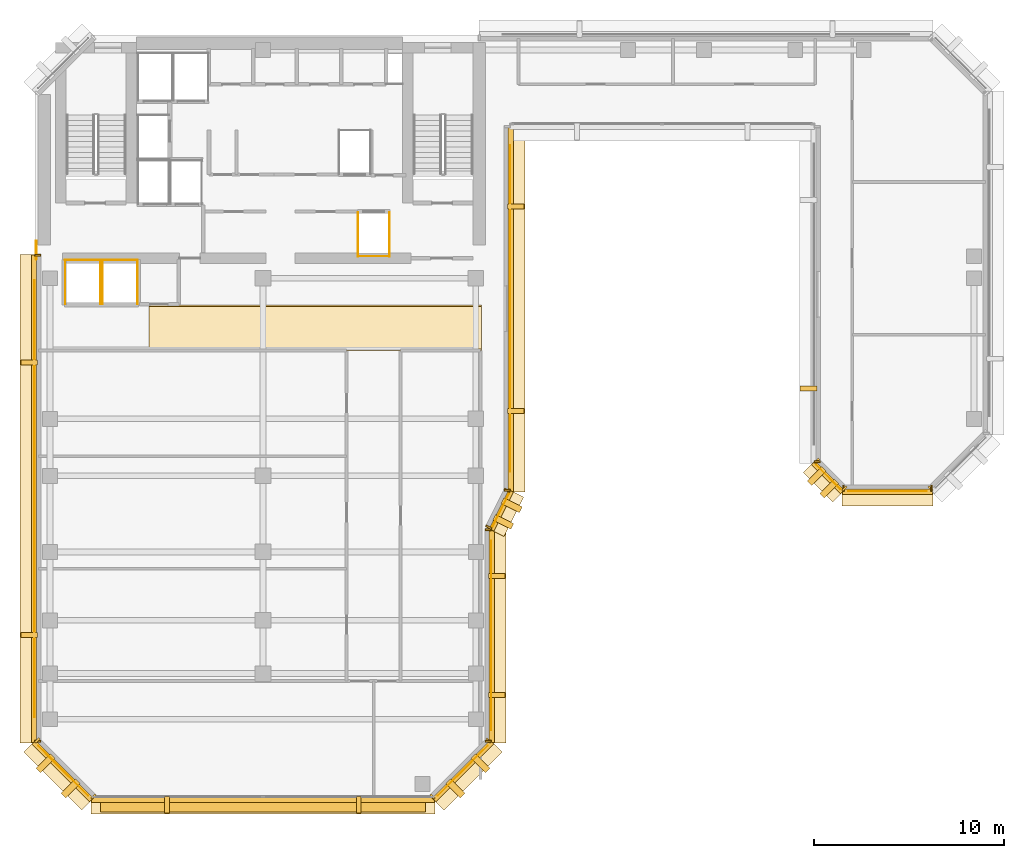
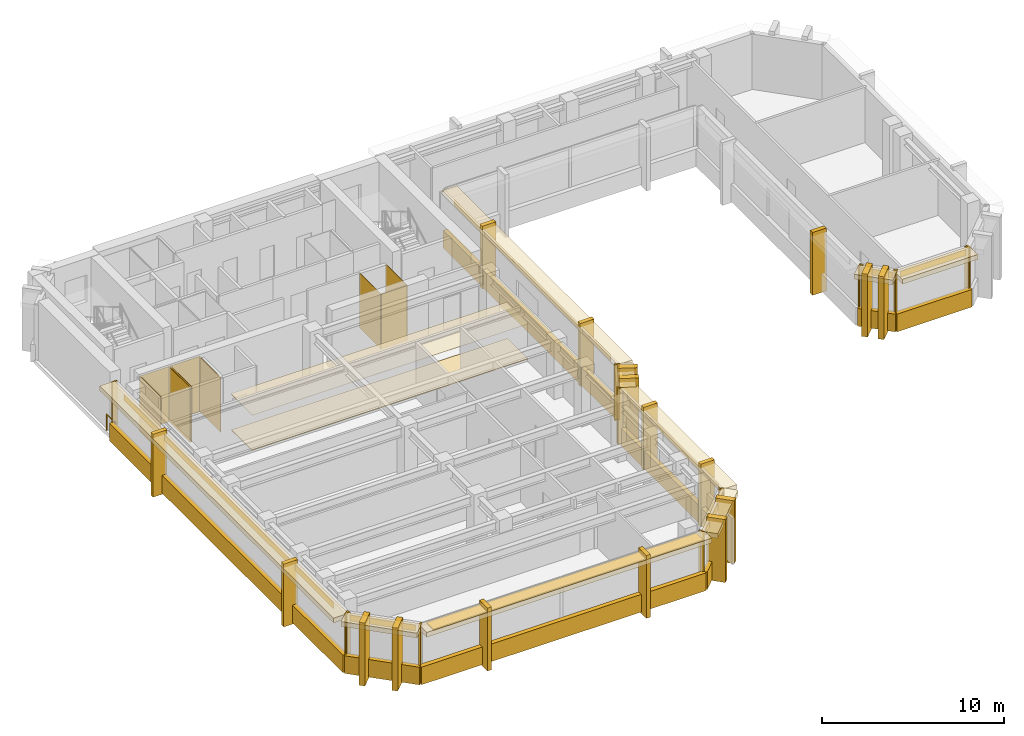
# One storey, part 8 of 11: 71 coverings, 1 railing, 1 shading device.
"""IFC4 building model written with IfcOpenShell, lengths in metres."""

import ifcopenshell
import ifcopenshell.guid

model = None  # the IFC model being written
_history = None  # IfcOwnerHistory: only IFC2X3 demands one
_inside = {}  # id of a spatial element -> (the spatial element, [elements in it])
_under = {}  # id of a project, library or spatial element -> (it, [spatial elements below it])
_declared = {}  # id of a project -> (the project, [libraries it declares])
_typed = {}  # id of a type object -> (the type object, [elements of that type])
_made_of = {}  # id of a material, layer set ... -> (it, [elements and type objects made of it])


def new_model(schema):
    """Start an empty IFC model of exactly this schema.

    Asked for "IFC4X3", IfcOpenShell would pick the latest addendum, in which some entities
    have other attributes; the version numbers below select the first issue.
    IFC2X3 requires an IfcOwnerHistory on every rooted entity: one is made here for all.
    """
    global model, _history
    if schema == "IFC4X3":
        model = ifcopenshell.file(schema_version=(4, 3, 0, 0))
    else:
        model = ifcopenshell.file(schema=schema)
    _inside.clear()
    _under.clear()
    _declared.clear()
    _typed.clear()
    _made_of.clear()
    _history = None
    if model.schema == "IFC2X3":
        org = make("IfcOrganization", Name="unknown")
        user = make(
            "IfcPersonAndOrganization",
            ThePerson=make("IfcPerson", FamilyName="unknown"),
            TheOrganization=org,
        )
        app = make(
            "IfcApplication",
            ApplicationDeveloper=org,
            Version="unknown",
            ApplicationFullName="unknown",
            ApplicationIdentifier="unknown",
        )
        _history = make(
            "IfcOwnerHistory",
            OwningUser=user,
            OwningApplication=app,
            ChangeAction="ADDED",
            CreationDate=0,
        )
    return model


def make(cls, **values):
    """One entity of the class cls with the attributes given. An attribute that is None is left unset."""
    return model.create_entity(
        cls, **{name: value for name, value in values.items() if value is not None}
    )


def rooted(cls, **values):
    """An entity with a GlobalId (a new one), such as an element, a storey or a relation."""
    return make(cls, GlobalId=ifcopenshell.guid.new(), OwnerHistory=_history, **values)


def si_unit(unit_type, name, prefix=None):
    """IfcSIUnit, for example si_unit("LENGTHUNIT", "METRE", prefix="MILLI")."""
    return make("IfcSIUnit", UnitType=unit_type, Prefix=prefix, Name=name)


def assignment(units):
    """IfcUnitAssignment: the units of a project."""
    return None if units is None else make("IfcUnitAssignment", Units=units)


def point(xyz):
    """IfcCartesianPoint."""
    return None if xyz is None else make("IfcCartesianPoint", Coordinates=xyz)


def direction(xyz):
    """IfcDirection."""
    return None if xyz is None else make("IfcDirection", DirectionRatios=xyz)


def frame(location, z_axis=None, x_axis=None):
    """IfcAxis2Placement3D, a coordinate frame: its origin and axes. An axis left out is left unset."""
    return make(
        "IfcAxis2Placement3D",
        Location=point(location),
        Axis=direction(z_axis),
        RefDirection=direction(x_axis),
    )


def frame_2d(location, x_axis=None):
    """IfcAxis2Placement2D, a coordinate frame in the plane: its origin and x axis."""
    return make(
        "IfcAxis2Placement2D", Location=point(location), RefDirection=direction(x_axis)
    )


def origin():
    """The frame at (0, 0, 0) with its axes left unset."""
    return frame((0.0, 0.0, 0.0))


def origin_2d():
    """The frame at (0, 0) in the plane with its x axis left unset."""
    return frame_2d((0.0, 0.0))


def place(relative_to, where):
    """IfcLocalPlacement: puts the frame where relative to a parent placement (None: the world)."""
    return make(
        "IfcLocalPlacement", PlacementRelTo=relative_to, RelativePlacement=where
    )


def context(
    kind, dimensions, precision=None, world=None, true_north=None, identifier=None
):
    """IfcGeometricRepresentationContext, for example the 3D "Model" context."""
    return make(
        "IfcGeometricRepresentationContext",
        ContextIdentifier=identifier,
        ContextType=kind,
        CoordinateSpaceDimension=dimensions,
        Precision=precision,
        WorldCoordinateSystem=world,
        TrueNorth=true_north,
    )


def subcontext(parent, identifier, kind, view, scale=None):
    """IfcGeometricRepresentationSubContext, for example "Body" below "Model"."""
    return make(
        "IfcGeometricRepresentationSubContext",
        ContextIdentifier=identifier,
        ContextType=kind,
        ParentContext=parent,
        TargetScale=scale,
        TargetView=view,
    )


def project(units=None, contexts=None):
    """IfcProject with its units and contexts."""
    return rooted(
        "IfcProject",
        Name="project",
        RepresentationContexts=contexts,
        UnitsInContext=assignment(units),
    )


def spatial(cls, under=None, at=None, **own):
    """A site, building, storey or space (cls), placed at a placement, below another one or the project."""
    s = rooted(cls, ObjectPlacement=at, **own)
    if under is not None:
        _under.setdefault(under.id(), (under, []))[1].append(s)
    return s


def polyline(points):
    """IfcPolyline through the points."""
    return make("IfcPolyline", Points=[point(p) for p in points])


def profile(cls, at=None, kind="AREA", **sizes):
    """A parametric profile (cls). Its sizes go by their IFC names, for example OverallWidth=200.0."""
    return make(cls, ProfileType=kind, Position=at, **sizes)


def rectangle(**sizes):
    """IfcRectangleProfileDef."""
    return profile("IfcRectangleProfileDef", **sizes)


def circle(**sizes):
    """IfcCircleProfileDef."""
    return profile("IfcCircleProfileDef", **sizes)


def outline(outer, holes=None, kind="AREA"):
    """IfcArbitraryClosedProfileDef: a profile drawn as a closed curve; with holes, ...WithVoids."""
    if holes is None:
        return make("IfcArbitraryClosedProfileDef", ProfileType=kind, OuterCurve=outer)
    return make(
        "IfcArbitraryProfileDefWithVoids",
        ProfileType=kind,
        OuterCurve=outer,
        InnerCurves=holes,
    )


def extrude(swept, where, along, depth):
    """IfcExtrudedAreaSolid: the profile swept, set in the frame where, extruded along a direction by depth."""
    return make(
        "IfcExtrudedAreaSolid",
        SweptArea=swept,
        Position=where,
        ExtrudedDirection=direction(along),
        Depth=depth,
    )


def shape(context_of_items, identifier, shape_type, items):
    """IfcShapeRepresentation: the items that make up one representation, for example the "Body"."""
    return make(
        "IfcShapeRepresentation",
        ContextOfItems=context_of_items,
        RepresentationIdentifier=identifier,
        RepresentationType=shape_type,
        Items=items,
    )


def material(Name=None, Category=None):
    """IfcMaterial."""
    return make("IfcMaterial", Name=Name, Category=Category)


def layer(
    of_material, thickness, ventilated=None, Name=None, Category=None, Priority=None
):
    """IfcMaterialLayer: one layer of a wall or slab, of a material (None: an air gap)."""
    return make(
        "IfcMaterialLayer",
        Material=of_material,
        LayerThickness=thickness,
        IsVentilated=ventilated,
        Name=Name,
        Category=Category,
        Priority=Priority,
    )


def layer_set(layers, Name=None):
    """IfcMaterialLayerSet."""
    return make("IfcMaterialLayerSet", MaterialLayers=layers, LayerSetName=Name)


def made_of(thing, what):
    """Note that an element or type object is made of a material, layer set ...; save() writes the relation."""
    if what is not None:
        _made_of.setdefault(what.id(), (what, []))[1].append(thing)
    return thing


def type_object(cls, material=None, **own):
    """A type object (cls), such as IfcWallType, which elements share."""
    return made_of(rooted(cls, **own), material)


def element(
    cls,
    number,
    at=None,
    inside=None,
    cuts=None,
    type_object=None,
    material=None,
    context=None,
    identifier="Body",
    shape_type=None,
    held_by="IfcProductDefinitionShape",
    body=None,
    shapes=None,
    **own,
):
    """One element of the class cls, such as IfcWall. Its Tag is "e" and its number.

    at: its placement. inside: the storey or other place that contains it. cuts: it is an
    opening in that element (IfcRelVoidsElement). A single representation is given by context,
    identifier, shape_type and body (its items); several are given by shapes. held_by: the class
    of the entity that holds the representations. save() writes the other relations.
    """
    e = rooted(cls, Tag="e%d" % number, ObjectPlacement=at, **own)
    if body is not None:
        shapes = [shape(context, identifier, shape_type, body)]
    if shapes is not None:
        e.Representation = make(held_by, Representations=shapes)
    if inside is not None:
        _inside.setdefault(inside.id(), (inside, []))[1].append(e)
    if cuts is not None:
        rooted(
            "IfcRelVoidsElement", RelatingBuildingElement=cuts, RelatedOpeningElement=e
        )
    if type_object is not None:
        _typed.setdefault(type_object.id(), (type_object, []))[1].append(e)
    return made_of(e, material)


def aggregate(whole, parts):
    """IfcRelAggregates: a whole, such as a stair, and the parts it consists of."""
    return rooted("IfcRelAggregates", RelatingObject=whole, RelatedObjects=parts)


def save(model, path):
    """Write the relations noted so far, then the file.

    IfcRelAggregates (storeys below a building ...), IfcRelContainedInSpatialStructure (elements
    in a storey), IfcRelDefinesByType, IfcRelAssociatesMaterial and IfcRelDeclares: one each for
    every whole, place, type object, material and project.
    """
    for whole, parts in _under.values():
        aggregate(whole, parts)
    for where, things in _inside.values():
        rooted(
            "IfcRelContainedInSpatialStructure",
            RelatedElements=things,
            RelatingStructure=where,
        )
    for kind, things in _typed.values():
        rooted("IfcRelDefinesByType", RelatedObjects=things, RelatingType=kind)
    for what, things in _made_of.values():
        rooted("IfcRelAssociatesMaterial", RelatedObjects=things, RelatingMaterial=what)
    for by, libraries in _declared.values():
        rooted("IfcRelDeclares", RelatingContext=by, RelatedDefinitions=libraries)
    model.write(path)


model = new_model("IFC4")

# Units and contexts
model_context = context("Model", 3, precision=1e-05, world=origin(), true_north=direction((0.0, 1.0)))
body_context = subcontext(model_context, "Body", "Model", "MODEL_VIEW")
ifc_project = project(units=[si_unit("LENGTHUNIT", "METRE"), si_unit("AREAUNIT", "SQUARE_METRE"), si_unit("VOLUMEUNIT", "CUBIC_METRE"), si_unit("PLANEANGLEUNIT", "RADIAN"), si_unit("MASSUNIT", "GRAM", prefix="KILO")], contexts=[model_context])

# Site, building, storey
site_placement = place(None, origin())
site = spatial("IfcSite", under=ifc_project, at=site_placement, CompositionType="ELEMENT")
building_placement = place(site_placement, origin())
building = spatial("IfcBuilding", under=site, at=building_placement, Name="Kefirva Bronze Tower", CompositionType="ELEMENT")
storey_placement = place(building_placement, frame((0.0, 0.0, 227.699951171875)))
storey = spatial("IfcBuildingStorey", under=building, at=storey_placement, Name="L55", CompositionType="ELEMENT", Elevation=227.699951171875)

# Coverings
ifc_material_1 = material(Name="Acoustic mineral tile")
ifc_layer_1 = layer(ifc_material_1, 0.02490234375, Name="Acoustic mineral tile")
ifc_layer_set_1 = layer_set([ifc_layer_1], Name="Acoustic mineral tile")
covering_type_1 = type_object("IfcCoveringType", Name="Acoustic Mineral Suspended Ceiling 25mm", PredefinedType="CEILING", material=ifc_layer_set_1)
covering_1_placement = place(storey_placement, frame((0.0, 0.0, 2.400146484375)))
element("IfcCovering", 1, at=covering_1_placement, inside=storey, type_object=covering_type_1, Name="L55 Corridor Acoustic Ceiling", PredefinedType="CEILING", context=body_context, shape_type="SweptSolid", body=[
    extrude(outline(polyline([(6.0, 29.39990234375), (23.5, 29.39990234375), (23.5, 31.800048828125), (6.0, 31.800048828125), (6.0, 29.39990234375)])), origin(), (0.0, 0.0, 1.0), 0.02490234375),
])
ifc_material_2 = material(Name="Bronze anodised aluminium", Category="aluminium")
ifc_layer_2 = layer(ifc_material_2, 0.02001953125, Name="Bronze anodised aluminium")
ifc_layer_set_2 = layer_set([ifc_layer_2], Name="Bronze anodised aluminium")
covering_type_2 = type_object("IfcCoveringType", Name="Anodised Bronze Spandrel Cladding 20mm", PredefinedType="CLADDING", material=ifc_layer_set_2)
covering_2_placement = place(storey_placement, frame((12.0, 5.760009765625, -0.16015625), z_axis=(0.0, 0.0, 1.0), x_axis=(1.0, 0.0, 0.0)))
element("IfcCovering", 2, at=covering_2_placement, inside=storey, type_object=covering_type_2, Name="L55 Streamline Horizontal Spandrel Band 0", PredefinedType="CLADDING", context=body_context, shape_type="SweptSolid", body=[
    extrude(rectangle(XDim=18.0400390625, YDim=0.280029296875, at=origin_2d()), origin(), (0.0, 0.0, 1.0), 1.179931640625),
])
covering_3_placement = place(storey_placement, frame((22.507080078125, 7.29296875, 3.2900390625), z_axis=(0.0, 0.0, 1.0), x_axis=(0.707106781187, 0.707106781187, 0.0)))
element("IfcCovering", 3, at=covering_3_placement, inside=storey, type_object=covering_type_2, Name="L55 Bronze Spandrel Cladding 1", PredefinedType="CLADDING", context=body_context, shape_type="SweptSolid", body=[
    extrude(rectangle(XDim=3.719482421875, YDim=0.02001953125, at=origin_2d()), origin(), (0.0, 0.0, 1.0), 0.39990234375),
])
for number, where, z_axis, x_axis, name in (
    (4, (20.91162109375, 5.93798828125, 0.0), (0.0, 0.0, 1.0), (0.707106781187, 0.707106781187, 0.0), "L55 Facade Joint Closure Panel 1S"),
    (5, (23.862060546875, 8.88818359375, 0.0), (0.0, 0.0, 1.0), (0.707106781187, 0.707106781187, 0.0), "L55 Facade Joint Closure Panel 1E"),
):
    element("IfcCovering", number, at=place(storey_placement, frame(where, z_axis=z_axis, x_axis=x_axis)), inside=storey, type_object=covering_type_2, Name=name, PredefinedType="CLADDING", context=body_context, shape_type="SweptSolid", body=[
        extrude(rectangle(XDim=0.10009765625, YDim=0.320068359375, at=origin_2d()), origin(), (0.0, 0.0, 1.0), 3.7099609375),
    ])
covering_4_placement = place(storey_placement, frame((22.5283203125, 7.271728515625, -0.16015625), z_axis=(0.0, 0.0, 1.0), x_axis=(0.707106781187, 0.707106781187, 0.0)))
element("IfcCovering", 6, at=covering_4_placement, inside=storey, type_object=covering_type_2, Name="L55 Streamline Horizontal Spandrel Band 1", PredefinedType="CLADDING", context=body_context, shape_type="SweptSolid", body=[
    extrude(rectangle(XDim=4.28271484375, YDim=0.280029296875, at=origin_2d()), origin(), (0.0, 0.0, 1.0), 1.179931640625),
])
covering_5_placement = place(storey_placement, frame((24.010009765625, 14.39990234375, 3.2900390625), z_axis=(0.0, 0.0, 1.0), x_axis=(0.0, 1.0, 0.0)))
element("IfcCovering", 7, at=covering_5_placement, inside=storey, type_object=covering_type_2, Name="L55 Bronze Spandrel Cladding 2", PredefinedType="CLADDING", context=body_context, shape_type="SweptSolid", body=[
    extrude(rectangle(XDim=9.98095703125, YDim=0.02001953125, at=origin_2d()), origin(), (0.0, 0.0, 1.0), 0.39990234375),
])
for number, where, z_axis, x_axis, name in (
    (8, (23.840087890625, 8.8349609375, 0.0), (0.0, 0.0, 1.0), (0.0, 1.0, 0.0), "L55 Facade Joint Closure Panel 2S"),
    (9, (23.840087890625, 19.965087890625, 0.0), (0.0, 0.0, 1.0), (0.0, 1.0, 0.0), "L55 Facade Joint Closure Panel 2E"),
):
    element("IfcCovering", number, at=place(storey_placement, frame(where, z_axis=z_axis, x_axis=x_axis)), inside=storey, type_object=covering_type_2, Name=name, PredefinedType="CLADDING", context=body_context, shape_type="SweptSolid", body=[
        extrude(rectangle(XDim=0.10009765625, YDim=0.320068359375, at=origin_2d()), origin(), (0.0, 0.0, 1.0), 3.7099609375),
    ])
covering_6_placement = place(storey_placement, frame((24.0400390625, 14.39990234375, -0.16015625), z_axis=(0.0, 0.0, 1.0), x_axis=(0.0, 1.0, 0.0)))
element("IfcCovering", 10, at=covering_6_placement, inside=storey, type_object=covering_type_2, Name="L55 Streamline Horizontal Spandrel Band 2", PredefinedType="CLADDING", context=body_context, shape_type="SweptSolid", body=[
    extrude(rectangle(XDim=11.239990234375, YDim=0.280029296875, at=origin_2d()), origin(), (0.0, 0.0, 1.0), 1.179931640625),
])
covering_7_placement = place(storey_placement, frame((24.5087890625, 20.99560546875, 3.2900390625), z_axis=(0.0, 0.0, 1.0), x_axis=(0.44721435766, 0.89442680992, 0.0)))
element("IfcCovering", 11, at=covering_7_placement, inside=storey, type_object=covering_type_2, Name="L55 Bronze Spandrel Cladding 3", PredefinedType="CLADDING", context=body_context, shape_type="SweptSolid", body=[
    extrude(rectangle(XDim=1.91357421875, YDim=0.02001953125, at=origin_2d()), origin(), (0.0, 0.0, 1.0), 0.39990234375),
])
for number, where, z_axis, x_axis, name in (
    (12, (23.87255859375, 20.102783203125, 0.0), (0.0, 0.0, 1.0), (0.44721435766, 0.89442680992, 0.0), "L55 Facade Joint Closure Panel 3S"),
    (13, (24.84130859375, 22.040283203125, 0.0), (0.0, 0.0, 1.0), (0.44721435766, 0.89442680992, 0.0), "L55 Facade Joint Closure Panel 3E"),
):
    element("IfcCovering", number, at=place(storey_placement, frame(where, z_axis=z_axis, x_axis=x_axis)), inside=storey, type_object=covering_type_2, Name=name, PredefinedType="CLADDING", context=body_context, shape_type="SweptSolid", body=[
        extrude(rectangle(XDim=0.10009765625, YDim=0.320068359375, at=origin_2d()), origin(), (0.0, 0.0, 1.0), 3.7099609375),
    ])
covering_8_placement = place(storey_placement, frame((24.535888671875, 20.982177734375, -0.16015625), z_axis=(0.0, 0.0, 1.0), x_axis=(0.44721435766, 0.89442680992, 0.0)))
element("IfcCovering", 14, at=covering_8_placement, inside=storey, type_object=covering_type_2, Name="L55 Streamline Horizontal Spandrel Band 3", PredefinedType="CLADDING", context=body_context, shape_type="SweptSolid", body=[
    extrude(rectangle(XDim=2.276123046875, YDim=0.280029296875, at=origin_2d()), origin(), (0.0, 0.0, 1.0), 1.179931640625),
])
covering_9_placement = place(storey_placement, frame((25.010009765625, 31.60009765625, 3.2900390625), z_axis=(0.0, 0.0, 1.0), x_axis=(0.0, 1.0, 0.0)))
element("IfcCovering", 15, at=covering_9_placement, inside=storey, type_object=covering_type_2, Name="L55 Bronze Spandrel Cladding 4", PredefinedType="CLADDING", context=body_context, shape_type="SweptSolid", body=[
    extrude(rectangle(XDim=17.180908203125, YDim=0.02001953125, at=origin_2d()), origin(), (0.0, 0.0, 1.0), 0.39990234375),
])
covering_10_placement = place(storey_placement, frame((24.840087890625, 22.034912109375, 0.0), z_axis=(0.0, 0.0, 1.0), x_axis=(0.0, 1.0, 0.0)))
element("IfcCovering", 16, at=covering_10_placement, inside=storey, type_object=covering_type_2, Name="L55 Facade Joint Closure Panel 4S", PredefinedType="CLADDING", context=body_context, shape_type="SweptSolid", body=[
    extrude(rectangle(XDim=0.10009765625, YDim=0.320068359375, at=origin_2d()), origin(), (0.0, 0.0, 1.0), 3.7099609375),
])
covering_11_placement = place(storey_placement, frame((25.0400390625, 31.60009765625, -0.16015625), z_axis=(0.0, 0.0, 1.0), x_axis=(0.0, 1.0, 0.0)))
element("IfcCovering", 17, at=covering_11_placement, inside=storey, type_object=covering_type_2, Name="L55 Streamline Horizontal Spandrel Band 5", PredefinedType="CLADDING", context=body_context, shape_type="SweptSolid", body=[
    extrude(rectangle(XDim=19.239990234375, YDim=0.280029296875, at=origin_2d()), origin(), (0.0, 0.0, 1.0), 1.179931640625),
])
covering_12_placement = place(storey_placement, frame((41.159912109375, 23.534912109375, 0.0), z_axis=(0.0, 0.0, 1.0), x_axis=(0.0, -1.0, 0.0)))
element("IfcCovering", 18, at=covering_12_placement, inside=storey, type_object=covering_type_2, Name="L55 Facade Joint Closure Panel 5E", PredefinedType="CLADDING", context=body_context, shape_type="SweptSolid", body=[
    extrude(rectangle(XDim=0.10009765625, YDim=0.320068359375, at=origin_2d()), origin(), (0.0, 0.0, 1.0), 3.7099609375),
])
covering_13_placement = place(storey_placement, frame((41.742919921875, 22.742919921875, 3.2900390625), z_axis=(0.0, 0.0, 1.0), x_axis=(0.707106781187, -0.707106781187, 0.0)))
element("IfcCovering", 19, at=covering_13_placement, inside=storey, type_object=covering_type_2, Name="L55 Bronze Spandrel Cladding 6", PredefinedType="CLADDING", context=body_context, shape_type="SweptSolid", body=[
    extrude(rectangle(XDim=1.810302734375, YDim=0.02001953125, at=origin_2d()), origin(), (0.0, 0.0, 1.0), 0.39990234375),
])
for number, where, z_axis, x_axis, name in (
    (20, (41.137939453125, 23.58837890625, 0.0), (0.0, 0.0, 1.0), (0.707106781187, -0.707106781187, 0.0), "L55 Facade Joint Closure Panel 6S"),
    (21, (42.58837890625, 22.137939453125, 0.0), (0.0, 0.0, 1.0), (0.707106781187, -0.707106781187, 0.0), "L55 Facade Joint Closure Panel 6E"),
):
    element("IfcCovering", number, at=place(storey_placement, frame(where, z_axis=z_axis, x_axis=x_axis)), inside=storey, type_object=covering_type_2, Name=name, PredefinedType="CLADDING", context=body_context, shape_type="SweptSolid", body=[
        extrude(rectangle(XDim=0.10009765625, YDim=0.320068359375, at=origin_2d()), origin(), (0.0, 0.0, 1.0), 3.7099609375),
    ])
covering_14_placement = place(storey_placement, frame((41.7216796875, 22.7216796875, -0.16015625), z_axis=(0.0, 0.0, 1.0), x_axis=(0.707106781187, -0.707106781187, 0.0)))
element("IfcCovering", 22, at=covering_14_placement, inside=storey, type_object=covering_type_2, Name="L55 Streamline Horizontal Spandrel Band 8", PredefinedType="CLADDING", context=body_context, shape_type="SweptSolid", body=[
    extrude(rectangle(XDim=2.161376953125, YDim=0.280029296875, at=origin_2d()), origin(), (0.0, 0.0, 1.0), 1.179931640625),
])
covering_15_placement = place(storey_placement, frame((44.85009765625, 21.989990234375, 3.2900390625), z_axis=(0.0, 0.0, 1.0), x_axis=(1.0, 0.0, 0.0)))
element("IfcCovering", 23, at=covering_15_placement, inside=storey, type_object=covering_type_2, Name="L55 Bronze Spandrel Cladding 7", PredefinedType="CLADDING", context=body_context, shape_type="SweptSolid", body=[
    extrude(rectangle(XDim=4.131103515625, YDim=0.02001953125, at=origin_2d()), origin(), (0.0, 0.0, 1.0), 0.39990234375),
])
for number, where, z_axis, x_axis, name in (
    (24, (42.534912109375, 22.159912109375, 0.0), (0.0, 0.0, 1.0), (1.0, 0.0, 0.0), "L55 Facade Joint Closure Panel 7S"),
    (25, (47.1650390625, 22.159912109375, 0.0), (0.0, 0.0, 1.0), (1.0, 0.0, 0.0), "L55 Facade Joint Closure Panel 7E"),
):
    element("IfcCovering", number, at=place(storey_placement, frame(where, z_axis=z_axis, x_axis=x_axis)), inside=storey, type_object=covering_type_2, Name=name, PredefinedType="CLADDING", context=body_context, shape_type="SweptSolid", body=[
        extrude(rectangle(XDim=0.10009765625, YDim=0.320068359375, at=origin_2d()), origin(), (0.0, 0.0, 1.0), 3.7099609375),
    ])
covering_16_placement = place(storey_placement, frame((44.85009765625, 21.9599609375, -0.16015625), z_axis=(0.0, 0.0, 1.0), x_axis=(1.0, 0.0, 0.0)))
element("IfcCovering", 26, at=covering_16_placement, inside=storey, type_object=covering_type_2, Name="L55 Streamline Horizontal Spandrel Band 9", PredefinedType="CLADDING", context=body_context, shape_type="SweptSolid", body=[
    extrude(rectangle(XDim=4.739990234375, YDim=0.280029296875, at=origin_2d()), origin(), (0.0, 0.0, 1.0), 1.179931640625),
])
covering_17_placement = place(storey_placement, frame((47.11181640625, 22.137939453125, 0.0), z_axis=(0.0, 0.0, 1.0), x_axis=(0.707106781187, 0.707106781187, 0.0)))
element("IfcCovering", 27, at=covering_17_placement, inside=storey, type_object=covering_type_2, Name="L55 Facade Joint Closure Panel 8S", PredefinedType="CLADDING", context=body_context, shape_type="SweptSolid", body=[
    extrude(rectangle(XDim=0.10009765625, YDim=0.320068359375, at=origin_2d()), origin(), (0.0, 0.0, 1.0), 3.7099609375),
])
covering_18_placement = place(storey_placement, frame((-0.010009765625, 21.597412109375, 3.2900390625), z_axis=(0.0, 0.0, 1.0), x_axis=(0.0, -1.0, 0.0)))
element("IfcCovering", 28, at=covering_18_placement, inside=storey, type_object=covering_type_2, Name="L55 Bronze Spandrel Cladding 13", PredefinedType="CLADDING", context=body_context, shape_type="SweptSolid", body=[
    extrude(rectangle(XDim=22.986083984375, YDim=0.02001953125, at=origin_2d()), origin(), (0.0, 0.0, 1.0), 0.39990234375),
])
for number, where, z_axis, x_axis, name in (
    (29, (0.159912109375, 34.4150390625, 0.0), (0.0, 0.0, 1.0), (0.0, -1.0, 0.0), "L55 Facade Joint Closure Panel 13S"),
    (30, (0.159912109375, 8.8349609375, 0.0), (0.0, 0.0, 1.0), (0.0, -1.0, 0.0), "L55 Facade Joint Closure Panel 13E"),
):
    element("IfcCovering", number, at=place(storey_placement, frame(where, z_axis=z_axis, x_axis=x_axis)), inside=storey, type_object=covering_type_2, Name=name, PredefinedType="CLADDING", context=body_context, shape_type="SweptSolid", body=[
        extrude(rectangle(XDim=0.10009765625, YDim=0.320068359375, at=origin_2d()), origin(), (0.0, 0.0, 1.0), 3.7099609375),
    ])
covering_19_placement = place(storey_placement, frame((-0.0400390625, 21.597412109375, -0.16015625), z_axis=(0.0, 0.0, 1.0), x_axis=(0.0, -1.0, 0.0)))
element("IfcCovering", 31, at=covering_19_placement, inside=storey, type_object=covering_type_2, Name="L55 Streamline Horizontal Spandrel Band 15", PredefinedType="CLADDING", context=body_context, shape_type="SweptSolid", body=[
    extrude(rectangle(XDim=25.635009765625, YDim=0.280029296875, at=origin_2d()), origin(), (0.0, 0.0, 1.0), 1.179931640625),
])
covering_20_placement = place(storey_placement, frame((1.492919921875, 7.29296875, 3.2900390625), z_axis=(0.0, 0.0, 1.0), x_axis=(0.707106781187, -0.707106781187, 0.0)))
element("IfcCovering", 32, at=covering_20_placement, inside=storey, type_object=covering_type_2, Name="L55 Bronze Spandrel Cladding 14", PredefinedType="CLADDING", context=body_context, shape_type="SweptSolid", body=[
    extrude(rectangle(XDim=3.719482421875, YDim=0.02001953125, at=origin_2d()), origin(), (0.0, 0.0, 1.0), 0.39990234375),
])
for number, where, z_axis, x_axis, name in (
    (33, (0.137939453125, 8.88818359375, 0.0), (0.0, 0.0, 1.0), (0.707106781187, -0.707106781187, 0.0), "L55 Facade Joint Closure Panel 14S"),
    (34, (3.08837890625, 5.93798828125, 0.0), (0.0, 0.0, 1.0), (0.707106781187, -0.707106781187, 0.0), "L55 Facade Joint Closure Panel 14E"),
):
    element("IfcCovering", number, at=place(storey_placement, frame(where, z_axis=z_axis, x_axis=x_axis)), inside=storey, type_object=covering_type_2, Name=name, PredefinedType="CLADDING", context=body_context, shape_type="SweptSolid", body=[
        extrude(rectangle(XDim=0.10009765625, YDim=0.320068359375, at=origin_2d()), origin(), (0.0, 0.0, 1.0), 3.7099609375),
    ])
covering_21_placement = place(storey_placement, frame((1.4716796875, 7.271728515625, -0.16015625), z_axis=(0.0, 0.0, 1.0), x_axis=(0.707106781187, -0.707106781187, 0.0)))
element("IfcCovering", 35, at=covering_21_placement, inside=storey, type_object=covering_type_2, Name="L55 Streamline Horizontal Spandrel Band 16", PredefinedType="CLADDING", context=body_context, shape_type="SweptSolid", body=[
    extrude(rectangle(XDim=4.28271484375, YDim=0.280029296875, at=origin_2d()), origin(), (0.0, 0.0, 1.0), 1.179931640625),
])
covering_22_placement = place(storey_placement, origin())
element("IfcCovering", 36, at=covering_22_placement, inside=storey, type_object=covering_type_2, Name="L55 Lift OB1 Hoistway Liner N", PredefinedType="CLADDING", context=body_context, shape_type="SweptSolid", body=[
    extrude(outline(polyline([(1.580078125, 34.139892578125), (3.469970703125, 34.139892578125), (3.469970703125, 34.159912109375), (1.580078125, 34.159912109375), (1.580078125, 34.139892578125)])), origin(), (0.0, 0.0, 1.0), 3.7099609375),
])
covering_23_placement = place(storey_placement, origin())
element("IfcCovering", 37, at=covering_23_placement, inside=storey, type_object=covering_type_2, Name="L55 Lift OB1 Hoistway Liner W", PredefinedType="CLADDING", context=body_context, shape_type="SweptSolid", body=[
    extrude(outline(polyline([(1.590087890625, 31.830078125), (1.610107421875, 31.830078125), (1.610107421875, 34.169921875), (1.590087890625, 34.169921875), (1.590087890625, 31.830078125)])), origin(), (0.0, 0.0, 1.0), 3.7099609375),
])
covering_24_placement = place(storey_placement, origin())
element("IfcCovering", 38, at=covering_24_placement, inside=storey, type_object=covering_type_2, Name="L55 Lift OB1 Hoistway Liner E", PredefinedType="CLADDING", context=body_context, shape_type="SweptSolid", body=[
    extrude(outline(polyline([(3.43994140625, 31.830078125), (3.4599609375, 31.830078125), (3.4599609375, 34.169921875), (3.43994140625, 34.169921875), (3.43994140625, 31.830078125)])), origin(), (0.0, 0.0, 1.0), 3.7099609375),
])
covering_25_placement = place(storey_placement, origin())
element("IfcCovering", 39, at=covering_25_placement, inside=storey, type_object=covering_type_2, Name="L55 Lift OB2 Hoistway Liner N", PredefinedType="CLADDING", context=body_context, shape_type="SweptSolid", body=[
    extrude(outline(polyline([(3.530029296875, 34.139892578125), (5.419921875, 34.139892578125), (5.419921875, 34.159912109375), (3.530029296875, 34.159912109375), (3.530029296875, 34.139892578125)])), origin(), (0.0, 0.0, 1.0), 3.7099609375),
])
covering_26_placement = place(storey_placement, origin())
element("IfcCovering", 40, at=covering_26_placement, inside=storey, type_object=covering_type_2, Name="L55 Lift OB2 Hoistway Liner W", PredefinedType="CLADDING", context=body_context, shape_type="SweptSolid", body=[
    extrude(outline(polyline([(3.5400390625, 31.830078125), (3.56005859375, 31.830078125), (3.56005859375, 34.169921875), (3.5400390625, 34.169921875), (3.5400390625, 31.830078125)])), origin(), (0.0, 0.0, 1.0), 3.7099609375),
])
covering_27_placement = place(storey_placement, origin())
element("IfcCovering", 41, at=covering_27_placement, inside=storey, type_object=covering_type_2, Name="L55 Lift OB2 Hoistway Liner E", PredefinedType="CLADDING", context=body_context, shape_type="SweptSolid", body=[
    extrude(outline(polyline([(5.389892578125, 31.830078125), (5.409912109375, 31.830078125), (5.409912109375, 34.169921875), (5.389892578125, 34.169921875), (5.389892578125, 31.830078125)])), origin(), (0.0, 0.0, 1.0), 3.7099609375),
])
covering_28_placement = place(storey_placement, origin())
element("IfcCovering", 42, at=covering_28_placement, inside=storey, type_object=covering_type_2, Name="L55 Lift HP1 Hoistway Liner S", PredefinedType="CLADDING", context=body_context, shape_type="SweptSolid", body=[
    extrude(outline(polyline([(16.97998046875, 34.340087890625), (18.669921875, 34.340087890625), (18.669921875, 34.360107421875), (16.97998046875, 34.360107421875), (16.97998046875, 34.340087890625)])), origin(), (0.0, 0.0, 1.0), 3.7099609375),
])
covering_29_placement = place(storey_placement, origin())
element("IfcCovering", 43, at=covering_29_placement, inside=storey, type_object=covering_type_2, Name="L55 Lift HP1 Hoistway Liner W", PredefinedType="CLADDING", context=body_context, shape_type="SweptSolid", body=[
    extrude(outline(polyline([(16.989990234375, 34.330078125), (17.010009765625, 34.330078125), (17.010009765625, 36.669921875), (16.989990234375, 36.669921875), (16.989990234375, 34.330078125)])), origin(), (0.0, 0.0, 1.0), 3.7099609375),
])
covering_30_placement = place(storey_placement, origin())
element("IfcCovering", 44, at=covering_30_placement, inside=storey, type_object=covering_type_2, Name="L55 Lift HP1 Hoistway Liner E", PredefinedType="CLADDING", context=body_context, shape_type="SweptSolid", body=[
    extrude(outline(polyline([(18.639892578125, 34.330078125), (18.659912109375, 34.330078125), (18.659912109375, 36.669921875), (18.639892578125, 36.669921875), (18.639892578125, 34.330078125)])), origin(), (0.0, 0.0, 1.0), 3.7099609375),
])

# Shading device
ifc_layer_3 = layer(ifc_material_2, 0.090087890625, Name="Bronze anodised aluminium")
ifc_layer_set_3 = layer_set([ifc_layer_3], Name="Bronze anodised aluminium")
shading_device_type = type_object("IfcShadingDeviceType", Name="Horizontal Bronze Sunshade Band 750mm", PredefinedType="JALOUSIE", material=ifc_layer_set_3)
shading_device_placement = place(storey_placement, frame((12.0, 5.5048828125, 3.60498046875), z_axis=(0.0, 0.0, 1.0), x_axis=(1.0, 0.0, 0.0)))
element("IfcShadingDevice", 45, at=shading_device_placement, inside=storey, type_object=shading_device_type, Name="L55 Horizontal Bronze Sunshade Band 0", PredefinedType="JALOUSIE", context=body_context, shape_type="SweptSolid", body=[
    extrude(rectangle(XDim=17.090087890625, YDim=0.75, at=origin_2d()), origin(), (0.0, 0.0, 1.0), 0.090087890625),
])

# Railing
ifc_material_3 = material(Name="Stainless steel 316", Category="steel")
railing_type = type_object("IfcRailingType", Name="Interior Stair Guardrail 1100mm", PredefinedType="GUARDRAIL", material=ifc_material_3)
railing_placement = place(storey_placement, frame((0.080078125, 34.199951171875, 0.0)))
element("IfcRailing", 46, at=railing_placement, inside=storey, type_object=railing_type, Name="L55 West Core Junction Guardrail", PredefinedType="GUARDRAIL", context=body_context, shape_type="SweptSolid", body=[
    extrude(circle(Radius=0.02392578125, at=origin_2d()), frame((0.0, 0.0, 1.076171875), z_axis=(0.0, 1.0, 0.0), x_axis=(-1.0, 0.0, 0.0)), (0.0, 0.0, 1.0), 0.949951171875),
    extrude(circle(Radius=0.02099609375, at=origin_2d()), origin(), (0.0, 0.0, 1.0), 1.052001953125),
    extrude(circle(Radius=0.02099609375, at=origin_2d()), frame((0.0, 0.949951171875, 0.0)), (0.0, 0.0, 1.0), 1.052001953125),
])

# Coverings
ifc_material_4 = material(Name="Calcium sulphate access tile")
ifc_layer_4 = layer(ifc_material_4, 0.044921875, Name="Calcium sulphate access tile")
ifc_layer_set_4 = layer_set([ifc_layer_4], Name="Calcium sulphate access tile")
covering_type_3 = type_object("IfcCoveringType", Name="Raised Access Office Flooring 45mm", PredefinedType="FLOORING", material=ifc_layer_set_4)
covering_31_placement = place(storey_placement, origin())
element("IfcCovering", 47, at=covering_31_placement, inside=storey, type_object=covering_type_3, Name="L55 Architectural Finish Flooring", PredefinedType="FLOORING", context=body_context, shape_type="SweptSolid", body=[
    extrude(outline(polyline([(6.0, 29.47998046875), (23.5, 29.47998046875), (23.5, 31.719970703125), (6.0, 31.719970703125), (6.0, 29.47998046875)])), origin(), (0.0, 0.0, 1.0), 0.045166015625),
])
ifc_layer_5 = layer(ifc_material_2, 0.179931640625, Name="Bronze anodised aluminium")
ifc_layer_set_5 = layer_set([ifc_layer_5], Name="Bronze anodised aluminium")
covering_type_4 = type_object("IfcCoveringType", Name="Streamline Bronze Sunshade Eyebrow Cladding 180mm", PredefinedType="CLADDING", material=ifc_layer_set_5)
covering_32_placement = place(storey_placement, frame((12.0, 5.489990234375, 3.39013671875), z_axis=(0.0, 0.0, 1.0), x_axis=(1.0, 0.0, 0.0)))
element("IfcCovering", 48, at=covering_32_placement, inside=storey, type_object=covering_type_4, Name="L55 Streamline Bronze Sunshade Eyebrow 0", PredefinedType="CLADDING", context=body_context, shape_type="SweptSolid", body=[
    extrude(rectangle(XDim=18.080078125, YDim=0.93994140625, at=origin_2d()), origin(), (0.0, 0.0, 1.0), 0.320068359375),
])
covering_33_placement = place(storey_placement, frame((22.71923828125, 7.080810546875, 3.39013671875), z_axis=(0.0, 0.0, 1.0), x_axis=(0.707106781187, 0.707106781187, 0.0)))
element("IfcCovering", 49, at=covering_33_placement, inside=storey, type_object=covering_type_4, Name="L55 Streamline Bronze Sunshade Eyebrow 1", PredefinedType="CLADDING", context=body_context, shape_type="SweptSolid", body=[
    extrude(rectangle(XDim=4.322509765625, YDim=0.93994140625, at=origin_2d()), origin(), (0.0, 0.0, 1.0), 0.320068359375),
])
covering_34_placement = place(storey_placement, frame((24.31005859375, 14.39990234375, 3.39013671875), z_axis=(0.0, 0.0, 1.0), x_axis=(0.0, 1.0, 0.0)))
element("IfcCovering", 50, at=covering_34_placement, inside=storey, type_object=covering_type_4, Name="L55 Streamline Bronze Sunshade Eyebrow 2", PredefinedType="CLADDING", context=body_context, shape_type="SweptSolid", body=[
    extrude(rectangle(XDim=11.280029296875, YDim=0.93994140625, at=origin_2d()), origin(), (0.0, 0.0, 1.0), 0.320068359375),
])
covering_35_placement = place(storey_placement, frame((24.77734375, 20.861328125, 3.39013671875), z_axis=(0.0, 0.0, 1.0), x_axis=(0.44721435766, 0.89442680992, 0.0)))
element("IfcCovering", 51, at=covering_35_placement, inside=storey, type_object=covering_type_4, Name="L55 Streamline Bronze Sunshade Eyebrow 3", PredefinedType="CLADDING", context=body_context, shape_type="SweptSolid", body=[
    extrude(rectangle(XDim=2.316162109375, YDim=0.93994140625, at=origin_2d()), origin(), (0.0, 0.0, 1.0), 0.320068359375),
])
covering_36_placement = place(storey_placement, frame((25.31005859375, 31.60009765625, 3.39013671875), z_axis=(0.0, 0.0, 1.0), x_axis=(0.0, 1.0, 0.0)))
element("IfcCovering", 52, at=covering_36_placement, inside=storey, type_object=covering_type_4, Name="L55 Streamline Bronze Sunshade Eyebrow 5", PredefinedType="CLADDING", context=body_context, shape_type="SweptSolid", body=[
    extrude(rectangle(XDim=19.280029296875, YDim=0.93994140625, at=origin_2d()), origin(), (0.0, 0.0, 1.0), 0.320068359375),
])
covering_37_placement = place(storey_placement, frame((41.53076171875, 22.53076171875, 3.39013671875), z_axis=(0.0, 0.0, 1.0), x_axis=(0.707106781187, -0.707106781187, 0.0)))
element("IfcCovering", 53, at=covering_37_placement, inside=storey, type_object=covering_type_4, Name="L55 Streamline Bronze Sunshade Eyebrow 8", PredefinedType="CLADDING", context=body_context, shape_type="SweptSolid", body=[
    extrude(rectangle(XDim=2.201416015625, YDim=0.93994140625, at=origin_2d()), origin(), (0.0, 0.0, 1.0), 0.320068359375),
])
covering_38_placement = place(storey_placement, frame((44.85009765625, 21.68994140625, 3.39013671875), z_axis=(0.0, 0.0, 1.0), x_axis=(1.0, 0.0, 0.0)))
element("IfcCovering", 54, at=covering_38_placement, inside=storey, type_object=covering_type_4, Name="L55 Streamline Bronze Sunshade Eyebrow 9", PredefinedType="CLADDING", context=body_context, shape_type="SweptSolid", body=[
    extrude(rectangle(XDim=4.780029296875, YDim=0.93994140625, at=origin_2d()), origin(), (0.0, 0.0, 1.0), 0.320068359375),
])
covering_39_placement = place(storey_placement, frame((-0.31005859375, 21.597412109375, 3.39013671875), z_axis=(0.0, 0.0, 1.0), x_axis=(0.0, -1.0, 0.0)))
element("IfcCovering", 55, at=covering_39_placement, inside=storey, type_object=covering_type_4, Name="L55 Streamline Bronze Sunshade Eyebrow 15", PredefinedType="CLADDING", context=body_context, shape_type="SweptSolid", body=[
    extrude(rectangle(XDim=25.675048828125, YDim=0.93994140625, at=origin_2d()), origin(), (0.0, 0.0, 1.0), 0.320068359375),
])
covering_40_placement = place(storey_placement, frame((1.28076171875, 7.080810546875, 3.39013671875), z_axis=(0.0, 0.0, 1.0), x_axis=(0.707106781187, -0.707106781187, 0.0)))
element("IfcCovering", 56, at=covering_40_placement, inside=storey, type_object=covering_type_4, Name="L55 Streamline Bronze Sunshade Eyebrow 16", PredefinedType="CLADDING", context=body_context, shape_type="SweptSolid", body=[
    extrude(rectangle(XDim=4.322509765625, YDim=0.93994140625, at=origin_2d()), origin(), (0.0, 0.0, 1.0), 0.320068359375),
])
ifc_layer_6 = layer(ifc_material_2, 0.260009765625, Name="Bronze anodised aluminium")
ifc_layer_set_6 = layer_set([ifc_layer_6], Name="Bronze anodised aluminium")
covering_type_5 = type_object("IfcCoveringType", Name="Unbroken Bronze Buttress Fin Cladding 260mm", PredefinedType="CLADDING", material=ifc_layer_set_6)
for number, where, z_axis, x_axis, name in (
    (57, (6.9599609375, 5.5, -0.25), (0.0, 0.0, 1.0), (1.0, 0.0, 0.0), "L55 Unbroken Vertical Bronze Rib Fin 1"),
    (58, (17.0400390625, 5.5, -0.25), (0.0, 0.0, 1.0), (1.0, 0.0, 0.0), "L55 Unbroken Vertical Bronze Rib Fin 2"),
):
    element("IfcCovering", number, at=place(storey_placement, frame(where, z_axis=z_axis, x_axis=x_axis)), inside=storey, type_object=covering_type_5, Name=name, PredefinedType="CLADDING", context=body_context, shape_type="SweptSolid", body=[
        extrude(rectangle(XDim=0.260009765625, YDim=0.8798828125, at=origin_2d()), origin(), (0.0, 0.0, 1.0), 4.2099609375),
    ])
for number, where, z_axis, x_axis, name in (
    (59, (22.122802734375, 6.357177734375, -0.25), (0.0, 0.0, 1.0), (0.707106781187, 0.707106781187, 0.0), "L55 Chamfered Corner Buttress Fin Cladding 3"),
    (60, (23.44287109375, 7.67724609375, -0.25), (0.0, 0.0, 1.0), (0.707106781187, 0.707106781187, 0.0), "L55 Chamfered Corner Buttress Fin Cladding 4"),
):
    element("IfcCovering", number, at=place(storey_placement, frame(where, z_axis=z_axis, x_axis=x_axis)), inside=storey, type_object=covering_type_5, Name=name, PredefinedType="CLADDING", context=body_context, shape_type="SweptSolid", body=[
        extrude(rectangle(XDim=0.340087890625, YDim=1.080078125, at=origin_2d()), origin(), (0.0, 0.0, 1.0), 4.2099609375),
    ])
for number, where, z_axis, x_axis, name in (
    (61, (24.300048828125, 11.263916015625, -0.25), (0.0, 0.0, 1.0), (0.0, 1.0, 0.0), "L55 Unbroken Vertical Bronze Rib Fin 5"),
    (62, (24.300048828125, 17.535888671875, -0.25), (0.0, 0.0, 1.0), (0.0, 1.0, 0.0), "L55 Unbroken Vertical Bronze Rib Fin 6"),
):
    element("IfcCovering", number, at=place(storey_placement, frame(where, z_axis=z_axis, x_axis=x_axis)), inside=storey, type_object=covering_type_5, Name=name, PredefinedType="CLADDING", context=body_context, shape_type="SweptSolid", body=[
        extrude(rectangle(XDim=0.260009765625, YDim=0.8798828125, at=origin_2d()), origin(), (0.0, 0.0, 1.0), 4.2099609375),
    ])
for number, where, z_axis, x_axis, name in (
    (63, (24.6376953125, 20.381103515625, -0.25), (0.0, 0.0, 1.0), (0.44721435766, 0.89442680992, 0.0), "L55 Chamfered Corner Buttress Fin Cladding 7"),
    (64, (25.077880859375, 21.260986328125, -0.25), (0.0, 0.0, 1.0), (0.44721435766, 0.89442680992, 0.0), "L55 Chamfered Corner Buttress Fin Cladding 8"),
):
    element("IfcCovering", number, at=place(storey_placement, frame(where, z_axis=z_axis, x_axis=x_axis)), inside=storey, type_object=covering_type_5, Name=name, PredefinedType="CLADDING", context=body_context, shape_type="SweptSolid", body=[
        extrude(rectangle(XDim=0.340087890625, YDim=1.080078125, at=origin_2d()), origin(), (0.0, 0.0, 1.0), 4.2099609375),
    ])
for number, where, z_axis, x_axis, name in (
    (65, (25.300048828125, 26.22412109375, -0.25), (0.0, 0.0, 1.0), (0.0, 1.0, 0.0), "L55 Unbroken Vertical Bronze Rib Fin 9"),
    (66, (25.300048828125, 36.97607421875, -0.25), (0.0, 0.0, 1.0), (0.0, 1.0, 0.0), "L55 Unbroken Vertical Bronze Rib Fin 10"),
    (67, (40.699951171875, 27.39404296875, -0.25), (0.0, 0.0, 1.0), (0.0, -1.0, 0.0), "L55 Unbroken Vertical Bronze Rib Fin 14"),
):
    element("IfcCovering", number, at=place(storey_placement, frame(where, z_axis=z_axis, x_axis=x_axis)), inside=storey, type_object=covering_type_5, Name=name, PredefinedType="CLADDING", context=body_context, shape_type="SweptSolid", body=[
        extrude(rectangle(XDim=0.260009765625, YDim=0.8798828125, at=origin_2d()), origin(), (0.0, 0.0, 1.0), 4.2099609375),
    ])
for number, where, z_axis, x_axis, name in (
    (68, (41.13720703125, 22.797119140625, -0.25), (0.0, 0.0, 1.0), (0.707106781187, -0.707106781187, 0.0), "L55 Chamfered Corner Buttress Fin Cladding 15"),
    (69, (41.797119140625, 22.13720703125, -0.25), (0.0, 0.0, 1.0), (0.707106781187, -0.707106781187, 0.0), "L55 Chamfered Corner Buttress Fin Cladding 16"),
):
    element("IfcCovering", number, at=place(storey_placement, frame(where, z_axis=z_axis, x_axis=x_axis)), inside=storey, type_object=covering_type_5, Name=name, PredefinedType="CLADDING", context=body_context, shape_type="SweptSolid", body=[
        extrude(rectangle(XDim=0.340087890625, YDim=1.080078125, at=origin_2d()), origin(), (0.0, 0.0, 1.0), 4.2099609375),
    ])
for number, where, z_axis, x_axis, name in (
    (70, (-0.300048828125, 28.76416015625, -0.25), (0.0, 0.0, 1.0), (0.0, -1.0, 0.0), "L55 Unbroken Vertical Bronze Rib Fin 27"),
    (71, (-0.300048828125, 14.430908203125, -0.25), (0.0, 0.0, 1.0), (0.0, -1.0, 0.0), "L55 Unbroken Vertical Bronze Rib Fin 28"),
):
    element("IfcCovering", number, at=place(storey_placement, frame(where, z_axis=z_axis, x_axis=x_axis)), inside=storey, type_object=covering_type_5, Name=name, PredefinedType="CLADDING", context=body_context, shape_type="SweptSolid", body=[
        extrude(rectangle(XDim=0.260009765625, YDim=0.8798828125, at=origin_2d()), origin(), (0.0, 0.0, 1.0), 4.2099609375),
    ])
for number, where, z_axis, x_axis, name in (
    (72, (0.55712890625, 7.67724609375, -0.25), (0.0, 0.0, 1.0), (0.707106781187, -0.707106781187, 0.0), "L55 Chamfered Corner Buttress Fin Cladding 29"),
    (73, (1.877197265625, 6.357177734375, -0.25), (0.0, 0.0, 1.0), (0.707106781187, -0.707106781187, 0.0), "L55 Chamfered Corner Buttress Fin Cladding 30"),
):
    element("IfcCovering", number, at=place(storey_placement, frame(where, z_axis=z_axis, x_axis=x_axis)), inside=storey, type_object=covering_type_5, Name=name, PredefinedType="CLADDING", context=body_context, shape_type="SweptSolid", body=[
        extrude(rectangle(XDim=0.340087890625, YDim=1.080078125, at=origin_2d()), origin(), (0.0, 0.0, 1.0), 4.2099609375),
    ])

save(model, "model.ifc")
